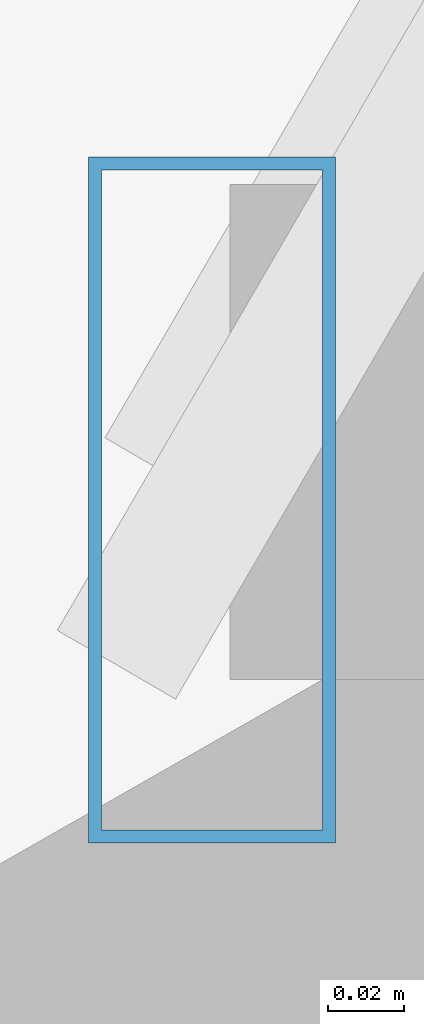
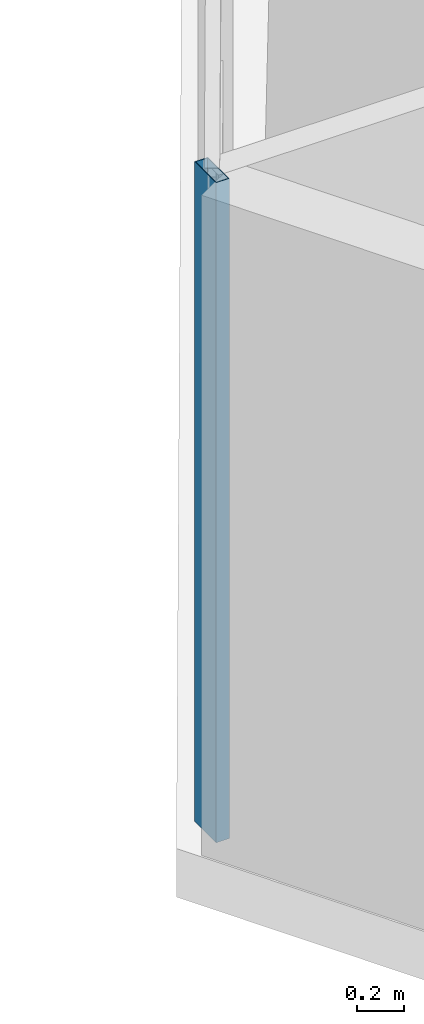
# One storey, part 6 of 36: 1 member, 1 element without a shape of its own.
"""IFC4 building model written with IfcOpenShell, lengths in metres."""

import ifcopenshell
import ifcopenshell.guid

model = None  # the IFC model being written
_history = None  # IfcOwnerHistory: only IFC2X3 demands one
_inside = {}  # id of a spatial element -> (the spatial element, [elements in it])
_under = {}  # id of a project, library or spatial element -> (it, [spatial elements below it])
_declared = {}  # id of a project -> (the project, [libraries it declares])
_typed = {}  # id of a type object -> (the type object, [elements of that type])
_made_of = {}  # id of a material, layer set ... -> (it, [elements and type objects made of it])


def new_model(schema):
    """Start an empty IFC model of exactly this schema.

    Asked for "IFC4X3", IfcOpenShell would pick the latest addendum, in which some entities
    have other attributes; the version numbers below select the first issue.
    IFC2X3 requires an IfcOwnerHistory on every rooted entity: one is made here for all.
    """
    global model, _history
    if schema == "IFC4X3":
        model = ifcopenshell.file(schema_version=(4, 3, 0, 0))
    else:
        model = ifcopenshell.file(schema=schema)
    _inside.clear()
    _under.clear()
    _declared.clear()
    _typed.clear()
    _made_of.clear()
    _history = None
    if model.schema == "IFC2X3":
        org = make("IfcOrganization", Name="unknown")
        user = make(
            "IfcPersonAndOrganization",
            ThePerson=make("IfcPerson", FamilyName="unknown"),
            TheOrganization=org,
        )
        app = make(
            "IfcApplication",
            ApplicationDeveloper=org,
            Version="unknown",
            ApplicationFullName="unknown",
            ApplicationIdentifier="unknown",
        )
        _history = make(
            "IfcOwnerHistory",
            OwningUser=user,
            OwningApplication=app,
            ChangeAction="ADDED",
            CreationDate=0,
        )
    return model


def make(cls, **values):
    """One entity of the class cls with the attributes given. An attribute that is None is left unset."""
    return model.create_entity(
        cls, **{name: value for name, value in values.items() if value is not None}
    )


def rooted(cls, **values):
    """An entity with a GlobalId (a new one), such as an element, a storey or a relation."""
    return make(cls, GlobalId=ifcopenshell.guid.new(), OwnerHistory=_history, **values)


def si_unit(unit_type, name, prefix=None):
    """IfcSIUnit, for example si_unit("LENGTHUNIT", "METRE", prefix="MILLI")."""
    return make("IfcSIUnit", UnitType=unit_type, Prefix=prefix, Name=name)


def assignment(units):
    """IfcUnitAssignment: the units of a project."""
    return None if units is None else make("IfcUnitAssignment", Units=units)


def point(xyz):
    """IfcCartesianPoint."""
    return None if xyz is None else make("IfcCartesianPoint", Coordinates=xyz)


def direction(xyz):
    """IfcDirection."""
    return None if xyz is None else make("IfcDirection", DirectionRatios=xyz)


def frame(location, z_axis=None, x_axis=None):
    """IfcAxis2Placement3D, a coordinate frame: its origin and axes. An axis left out is left unset."""
    return make(
        "IfcAxis2Placement3D",
        Location=point(location),
        Axis=direction(z_axis),
        RefDirection=direction(x_axis),
    )


def frame_2d(location, x_axis=None):
    """IfcAxis2Placement2D, a coordinate frame in the plane: its origin and x axis."""
    return make(
        "IfcAxis2Placement2D", Location=point(location), RefDirection=direction(x_axis)
    )


def origin():
    """The frame at (0, 0, 0) with its axes left unset."""
    return frame((0.0, 0.0, 0.0))


def origin_2d():
    """The frame at (0, 0) in the plane with its x axis left unset."""
    return frame_2d((0.0, 0.0))


def place(relative_to, where):
    """IfcLocalPlacement: puts the frame where relative to a parent placement (None: the world)."""
    return make(
        "IfcLocalPlacement", PlacementRelTo=relative_to, RelativePlacement=where
    )


def context(
    kind, dimensions, precision=None, world=None, true_north=None, identifier=None
):
    """IfcGeometricRepresentationContext, for example the 3D "Model" context."""
    return make(
        "IfcGeometricRepresentationContext",
        ContextIdentifier=identifier,
        ContextType=kind,
        CoordinateSpaceDimension=dimensions,
        Precision=precision,
        WorldCoordinateSystem=world,
        TrueNorth=true_north,
    )


def subcontext(parent, identifier, kind, view, scale=None):
    """IfcGeometricRepresentationSubContext, for example "Body" below "Model"."""
    return make(
        "IfcGeometricRepresentationSubContext",
        ContextIdentifier=identifier,
        ContextType=kind,
        ParentContext=parent,
        TargetScale=scale,
        TargetView=view,
    )


def project(units=None, contexts=None):
    """IfcProject with its units and contexts."""
    return rooted(
        "IfcProject",
        Name="project",
        RepresentationContexts=contexts,
        UnitsInContext=assignment(units),
    )


def spatial(cls, under=None, at=None, **own):
    """A site, building, storey or space (cls), placed at a placement, below another one or the project."""
    s = rooted(cls, ObjectPlacement=at, **own)
    if under is not None:
        _under.setdefault(under.id(), (under, []))[1].append(s)
    return s


def profile(cls, at=None, kind="AREA", **sizes):
    """A parametric profile (cls). Its sizes go by their IFC names, for example OverallWidth=200.0."""
    return make(cls, ProfileType=kind, Position=at, **sizes)


def hollow_rectangle(**sizes):
    """IfcRectangleHollowProfileDef."""
    return profile("IfcRectangleHollowProfileDef", **sizes)


def extrude(swept, where, along, depth):
    """IfcExtrudedAreaSolid: the profile swept, set in the frame where, extruded along a direction by depth."""
    return make(
        "IfcExtrudedAreaSolid",
        SweptArea=swept,
        Position=where,
        ExtrudedDirection=direction(along),
        Depth=depth,
    )


def shape(context_of_items, identifier, shape_type, items):
    """IfcShapeRepresentation: the items that make up one representation, for example the "Body"."""
    return make(
        "IfcShapeRepresentation",
        ContextOfItems=context_of_items,
        RepresentationIdentifier=identifier,
        RepresentationType=shape_type,
        Items=items,
    )


def source(mapping_origin, context_of_items, identifier, shape_type, items):
    """IfcRepresentationMap: a shape defined once, which mapped items show again and again."""
    return make(
        "IfcRepresentationMap",
        MappingOrigin=mapping_origin,
        MappedRepresentation=shape(context_of_items, identifier, shape_type, items),
    )


def transform(
    local_origin,
    x_axis=None,
    y_axis=None,
    z_axis=None,
    scale=None,
    scale2=None,
    scale3=None,
    uniform=True,
):
    """IfcCartesianTransformationOperator3D, or its non-uniform kind. x_axis, y_axis, z_axis: its Axis1, 2, 3."""
    if uniform:
        return make(
            "IfcCartesianTransformationOperator3D",
            Axis1=direction(x_axis),
            Axis2=direction(y_axis),
            LocalOrigin=point(local_origin),
            Scale=scale,
            Axis3=direction(z_axis),
        )
    return make(
        "IfcCartesianTransformationOperator3DnonUniform",
        Axis1=direction(x_axis),
        Axis2=direction(y_axis),
        LocalOrigin=point(local_origin),
        Scale=scale,
        Axis3=direction(z_axis),
        Scale2=scale2,
        Scale3=scale3,
    )


def mapped(mapping_source, mapping_target):
    """IfcMappedItem: shows the shape of a source again, moved by a transform."""
    return make(
        "IfcMappedItem", MappingSource=mapping_source, MappingTarget=mapping_target
    )


def material(Name=None, Category=None):
    """IfcMaterial."""
    return make("IfcMaterial", Name=Name, Category=Category)


def material_profile(
    of_material, cross_section, Name=None, Category=None, Priority=None
):
    """IfcMaterialProfile: a cross section and its material."""
    return make(
        "IfcMaterialProfile",
        Name=Name,
        Material=of_material,
        Profile=cross_section,
        Priority=Priority,
        Category=Category,
    )


def profile_set(profiles, Name=None, composite=None):
    """IfcMaterialProfileSet."""
    return make(
        "IfcMaterialProfileSet",
        Name=Name,
        MaterialProfiles=profiles,
        CompositeProfile=composite,
    )


def made_of(thing, what):
    """Note that an element or type object is made of a material, layer set ...; save() writes the relation."""
    if what is not None:
        _made_of.setdefault(what.id(), (what, []))[1].append(thing)
    return thing


def type_object(cls, material=None, **own):
    """A type object (cls), such as IfcWallType, which elements share."""
    return made_of(rooted(cls, **own), material)


def type_shapes(of_type, sources):
    """Give a type object the sources (RepresentationMaps) that its elements show as mapped items."""
    of_type.RepresentationMaps = sources


def element(
    cls,
    number,
    at=None,
    inside=None,
    cuts=None,
    type_object=None,
    material=None,
    context=None,
    identifier="Body",
    shape_type=None,
    held_by="IfcProductDefinitionShape",
    body=None,
    shapes=None,
    **own,
):
    """One element of the class cls, such as IfcWall. Its Tag is "e" and its number.

    at: its placement. inside: the storey or other place that contains it. cuts: it is an
    opening in that element (IfcRelVoidsElement). A single representation is given by context,
    identifier, shape_type and body (its items); several are given by shapes. held_by: the class
    of the entity that holds the representations. save() writes the other relations.
    """
    e = rooted(cls, Tag="e%d" % number, ObjectPlacement=at, **own)
    if body is not None:
        shapes = [shape(context, identifier, shape_type, body)]
    if shapes is not None:
        e.Representation = make(held_by, Representations=shapes)
    if inside is not None:
        _inside.setdefault(inside.id(), (inside, []))[1].append(e)
    if cuts is not None:
        rooted(
            "IfcRelVoidsElement", RelatingBuildingElement=cuts, RelatedOpeningElement=e
        )
    if type_object is not None:
        _typed.setdefault(type_object.id(), (type_object, []))[1].append(e)
    return made_of(e, material)


def aggregate(whole, parts):
    """IfcRelAggregates: a whole, such as a stair, and the parts it consists of."""
    return rooted("IfcRelAggregates", RelatingObject=whole, RelatedObjects=parts)


def save(model, path):
    """Write the relations noted so far, then the file.

    IfcRelAggregates (storeys below a building ...), IfcRelContainedInSpatialStructure (elements
    in a storey), IfcRelDefinesByType, IfcRelAssociatesMaterial and IfcRelDeclares: one each for
    every whole, place, type object, material and project.
    """
    for whole, parts in _under.values():
        aggregate(whole, parts)
    for where, things in _inside.values():
        rooted(
            "IfcRelContainedInSpatialStructure",
            RelatedElements=things,
            RelatingStructure=where,
        )
    for kind, things in _typed.values():
        rooted("IfcRelDefinesByType", RelatedObjects=things, RelatingType=kind)
    for what, things in _made_of.values():
        rooted("IfcRelAssociatesMaterial", RelatedObjects=things, RelatingMaterial=what)
    for by, libraries in _declared.values():
        rooted("IfcRelDeclares", RelatingContext=by, RelatedDefinitions=libraries)
    model.write(path)


model = new_model("IFC4")

# Units and contexts
model_context = context("Model", 3, precision=1e-05, world=origin(), true_north=direction((0.0, 1.0)))
body_context = subcontext(model_context, "Body", "Model", "MODEL_VIEW")
ifc_project = project(units=[si_unit("LENGTHUNIT", "METRE"), si_unit("AREAUNIT", "SQUARE_METRE"), si_unit("VOLUMEUNIT", "CUBIC_METRE"), si_unit("PLANEANGLEUNIT", "RADIAN"), si_unit("MASSUNIT", "GRAM", prefix="KILO")], contexts=[model_context])

# Site, building, storey
site_placement = place(None, origin())
site = spatial("IfcSite", under=ifc_project, at=site_placement, CompositionType="ELEMENT")
building_placement = place(site_placement, origin())
building = spatial("IfcBuilding", under=site, at=building_placement, Name="Caelisora Broadcast Tower", CompositionType="ELEMENT")
storey_placement = place(building_placement, frame((0.0, 0.0, 60.449951171875)))
storey = spatial("IfcBuildingStorey", under=building, at=storey_placement, Name="L15", CompositionType="ELEMENT", Elevation=60.449951171875)

# Curtain wall, member
ifc_material_1 = material(Name="Unitised Aluminium and Low-E Glass Curtain Wall", Category="glass")
curtain_wall_type = type_object("IfcCurtainWallType", Name="CW-Z1", PredefinedType="NOTDEFINED", material=ifc_material_1)
curtain_wall_placement = place(storey_placement, origin())
curtain_wall = element("IfcCurtainWall", 1, at=curtain_wall_placement, inside=storey, type_object=curtain_wall_type, Name="L15 curtain wall CW-Z1", PredefinedType="NOTDEFINED")
ifc_material_2 = material(Name="Aluminium 6063-T6 Anodised Terracotta Bronze", Category="aluminium")
ifc_material_profile = material_profile(ifc_material_2, hollow_rectangle(XDim=0.06494140625, YDim=0.179931640625, WallThickness=0.00341796875, at=origin_2d()), Name="Aluminium 6063-T6 Anodised Terracotta Bronze")
ifc_profile_set = profile_set([ifc_material_profile], Name="Aluminium 6063-T6 Anodised Terracotta Bronze")
member_type = type_object("IfcMemberType", Name="CWM-02", PredefinedType="MULLION", material=ifc_profile_set)
shared_shape = source(origin(), body_context, "Body", "SweptSolid", [
    extrude(hollow_rectangle(XDim=0.06494140625, YDim=0.179931640625, WallThickness=0.00341796875, at=origin_2d()), origin(), (0.0, 0.0, 1.0), 3.400146484375),
])
type_shapes(member_type, [shared_shape])
member_placement = place(storey_placement, frame((11.340087890625, 17.082275390625, 0.0), z_axis=(0.0, 0.0, 1.0), x_axis=(1.0, 0.0, 0.0)))
member = element("IfcMember", 2, at=member_placement, type_object=member_type, Name="L15-CW-B09 mullion #0", PredefinedType="MULLION", context=body_context, shape_type="MappedRepresentation", body=[
    mapped(shared_shape, transform((0.0, 0.0, 0.0), scale=1.0)),
])
aggregate(curtain_wall, [member])

save(model, "model.ifc")
